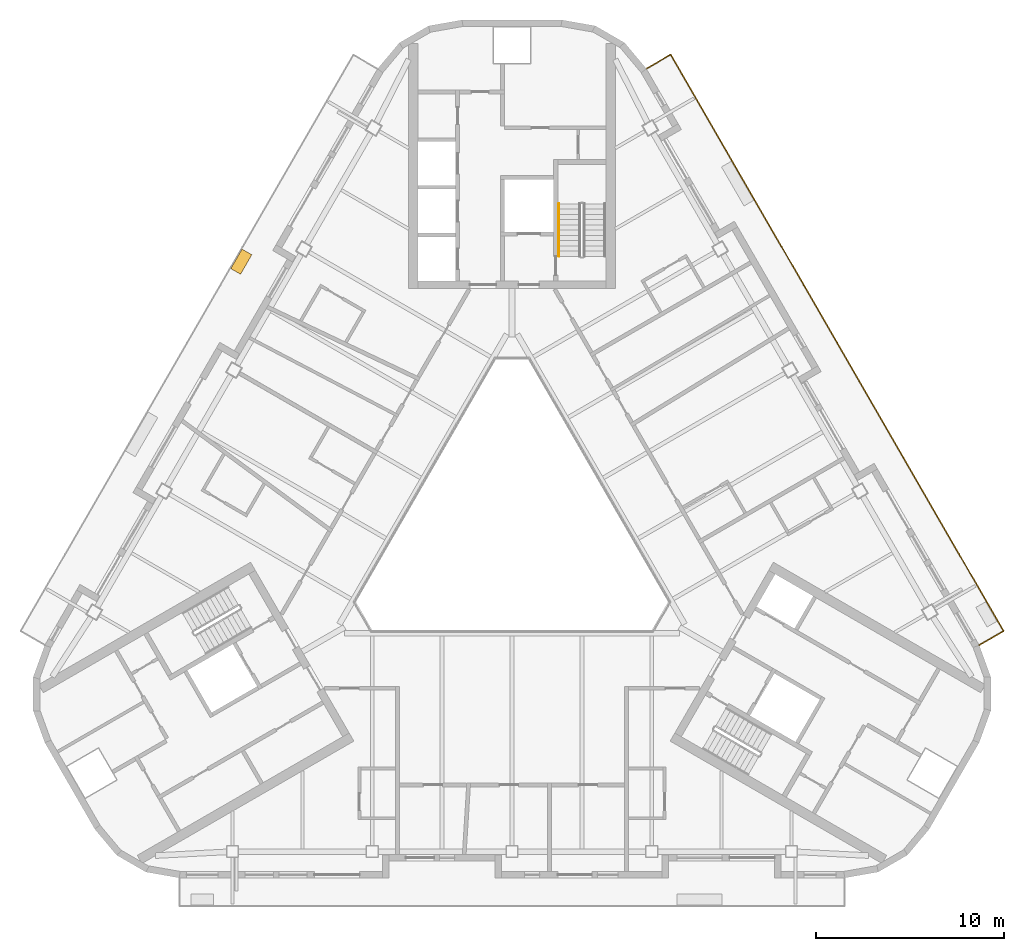
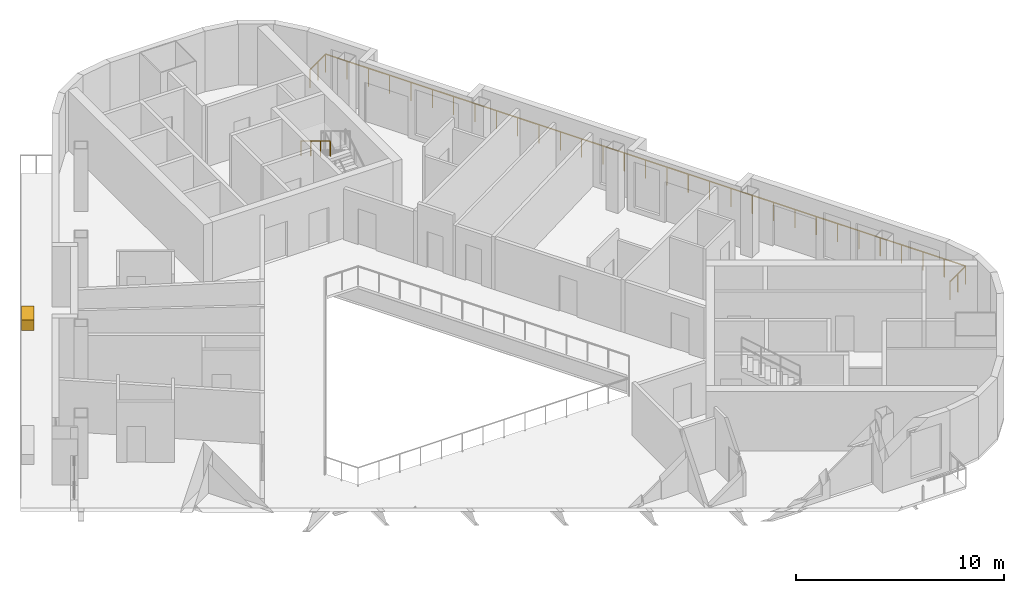
# One storey, part 12 of 13: 2 railings, 1 covering.
"""IFC4 building model written with IfcOpenShell, lengths in metres."""

import ifcopenshell
import ifcopenshell.guid

model = None  # the IFC model being written
_history = None  # IfcOwnerHistory: only IFC2X3 demands one
_inside = {}  # id of a spatial element -> (the spatial element, [elements in it])
_under = {}  # id of a project, library or spatial element -> (it, [spatial elements below it])
_declared = {}  # id of a project -> (the project, [libraries it declares])
_typed = {}  # id of a type object -> (the type object, [elements of that type])
_made_of = {}  # id of a material, layer set ... -> (it, [elements and type objects made of it])


def new_model(schema):
    """Start an empty IFC model of exactly this schema.

    Asked for "IFC4X3", IfcOpenShell would pick the latest addendum, in which some entities
    have other attributes; the version numbers below select the first issue.
    IFC2X3 requires an IfcOwnerHistory on every rooted entity: one is made here for all.
    """
    global model, _history
    if schema == "IFC4X3":
        model = ifcopenshell.file(schema_version=(4, 3, 0, 0))
    else:
        model = ifcopenshell.file(schema=schema)
    _inside.clear()
    _under.clear()
    _declared.clear()
    _typed.clear()
    _made_of.clear()
    _history = None
    if model.schema == "IFC2X3":
        org = make("IfcOrganization", Name="unknown")
        user = make(
            "IfcPersonAndOrganization",
            ThePerson=make("IfcPerson", FamilyName="unknown"),
            TheOrganization=org,
        )
        app = make(
            "IfcApplication",
            ApplicationDeveloper=org,
            Version="unknown",
            ApplicationFullName="unknown",
            ApplicationIdentifier="unknown",
        )
        _history = make(
            "IfcOwnerHistory",
            OwningUser=user,
            OwningApplication=app,
            ChangeAction="ADDED",
            CreationDate=0,
        )
    return model


def make(cls, **values):
    """One entity of the class cls with the attributes given. An attribute that is None is left unset."""
    return model.create_entity(
        cls, **{name: value for name, value in values.items() if value is not None}
    )


def rooted(cls, **values):
    """An entity with a GlobalId (a new one), such as an element, a storey or a relation."""
    return make(cls, GlobalId=ifcopenshell.guid.new(), OwnerHistory=_history, **values)


def si_unit(unit_type, name, prefix=None):
    """IfcSIUnit, for example si_unit("LENGTHUNIT", "METRE", prefix="MILLI")."""
    return make("IfcSIUnit", UnitType=unit_type, Prefix=prefix, Name=name)


def assignment(units):
    """IfcUnitAssignment: the units of a project."""
    return None if units is None else make("IfcUnitAssignment", Units=units)


def point(xyz):
    """IfcCartesianPoint."""
    return None if xyz is None else make("IfcCartesianPoint", Coordinates=xyz)


def direction(xyz):
    """IfcDirection."""
    return None if xyz is None else make("IfcDirection", DirectionRatios=xyz)


def frame(location, z_axis=None, x_axis=None):
    """IfcAxis2Placement3D, a coordinate frame: its origin and axes. An axis left out is left unset."""
    return make(
        "IfcAxis2Placement3D",
        Location=point(location),
        Axis=direction(z_axis),
        RefDirection=direction(x_axis),
    )


def frame_2d(location, x_axis=None):
    """IfcAxis2Placement2D, a coordinate frame in the plane: its origin and x axis."""
    return make(
        "IfcAxis2Placement2D", Location=point(location), RefDirection=direction(x_axis)
    )


def origin():
    """The frame at (0, 0, 0) with its axes left unset."""
    return frame((0.0, 0.0, 0.0))


def origin_2d():
    """The frame at (0, 0) in the plane with its x axis left unset."""
    return frame_2d((0.0, 0.0))


def place(relative_to, where):
    """IfcLocalPlacement: puts the frame where relative to a parent placement (None: the world)."""
    return make(
        "IfcLocalPlacement", PlacementRelTo=relative_to, RelativePlacement=where
    )


def context(
    kind, dimensions, precision=None, world=None, true_north=None, identifier=None
):
    """IfcGeometricRepresentationContext, for example the 3D "Model" context."""
    return make(
        "IfcGeometricRepresentationContext",
        ContextIdentifier=identifier,
        ContextType=kind,
        CoordinateSpaceDimension=dimensions,
        Precision=precision,
        WorldCoordinateSystem=world,
        TrueNorth=true_north,
    )


def subcontext(parent, identifier, kind, view, scale=None):
    """IfcGeometricRepresentationSubContext, for example "Body" below "Model"."""
    return make(
        "IfcGeometricRepresentationSubContext",
        ContextIdentifier=identifier,
        ContextType=kind,
        ParentContext=parent,
        TargetScale=scale,
        TargetView=view,
    )


def project(units=None, contexts=None):
    """IfcProject with its units and contexts."""
    return rooted(
        "IfcProject",
        Name="project",
        RepresentationContexts=contexts,
        UnitsInContext=assignment(units),
    )


def spatial(cls, under=None, at=None, **own):
    """A site, building, storey or space (cls), placed at a placement, below another one or the project."""
    s = rooted(cls, ObjectPlacement=at, **own)
    if under is not None:
        _under.setdefault(under.id(), (under, []))[1].append(s)
    return s


def profile(cls, at=None, kind="AREA", **sizes):
    """A parametric profile (cls). Its sizes go by their IFC names, for example OverallWidth=200.0."""
    return make(cls, ProfileType=kind, Position=at, **sizes)


def rectangle(**sizes):
    """IfcRectangleProfileDef."""
    return profile("IfcRectangleProfileDef", **sizes)


def circle(**sizes):
    """IfcCircleProfileDef."""
    return profile("IfcCircleProfileDef", **sizes)


def extrude(swept, where, along, depth):
    """IfcExtrudedAreaSolid: the profile swept, set in the frame where, extruded along a direction by depth."""
    return make(
        "IfcExtrudedAreaSolid",
        SweptArea=swept,
        Position=where,
        ExtrudedDirection=direction(along),
        Depth=depth,
    )


def shape(context_of_items, identifier, shape_type, items):
    """IfcShapeRepresentation: the items that make up one representation, for example the "Body"."""
    return make(
        "IfcShapeRepresentation",
        ContextOfItems=context_of_items,
        RepresentationIdentifier=identifier,
        RepresentationType=shape_type,
        Items=items,
    )


def material(Name=None, Category=None):
    """IfcMaterial."""
    return make("IfcMaterial", Name=Name, Category=Category)


def made_of(thing, what):
    """Note that an element or type object is made of a material, layer set ...; save() writes the relation."""
    if what is not None:
        _made_of.setdefault(what.id(), (what, []))[1].append(thing)
    return thing


def type_object(cls, material=None, **own):
    """A type object (cls), such as IfcWallType, which elements share."""
    return made_of(rooted(cls, **own), material)


def element(
    cls,
    number,
    at=None,
    inside=None,
    cuts=None,
    type_object=None,
    material=None,
    context=None,
    identifier="Body",
    shape_type=None,
    held_by="IfcProductDefinitionShape",
    body=None,
    shapes=None,
    **own,
):
    """One element of the class cls, such as IfcWall. Its Tag is "e" and its number.

    at: its placement. inside: the storey or other place that contains it. cuts: it is an
    opening in that element (IfcRelVoidsElement). A single representation is given by context,
    identifier, shape_type and body (its items); several are given by shapes. held_by: the class
    of the entity that holds the representations. save() writes the other relations.
    """
    e = rooted(cls, Tag="e%d" % number, ObjectPlacement=at, **own)
    if body is not None:
        shapes = [shape(context, identifier, shape_type, body)]
    if shapes is not None:
        e.Representation = make(held_by, Representations=shapes)
    if inside is not None:
        _inside.setdefault(inside.id(), (inside, []))[1].append(e)
    if cuts is not None:
        rooted(
            "IfcRelVoidsElement", RelatingBuildingElement=cuts, RelatedOpeningElement=e
        )
    if type_object is not None:
        _typed.setdefault(type_object.id(), (type_object, []))[1].append(e)
    return made_of(e, material)


def aggregate(whole, parts):
    """IfcRelAggregates: a whole, such as a stair, and the parts it consists of."""
    return rooted("IfcRelAggregates", RelatingObject=whole, RelatedObjects=parts)


def save(model, path):
    """Write the relations noted so far, then the file.

    IfcRelAggregates (storeys below a building ...), IfcRelContainedInSpatialStructure (elements
    in a storey), IfcRelDefinesByType, IfcRelAssociatesMaterial and IfcRelDeclares: one each for
    every whole, place, type object, material and project.
    """
    for whole, parts in _under.values():
        aggregate(whole, parts)
    for where, things in _inside.values():
        rooted(
            "IfcRelContainedInSpatialStructure",
            RelatedElements=things,
            RelatingStructure=where,
        )
    for kind, things in _typed.values():
        rooted("IfcRelDefinesByType", RelatedObjects=things, RelatingType=kind)
    for what, things in _made_of.values():
        rooted("IfcRelAssociatesMaterial", RelatedObjects=things, RelatingMaterial=what)
    for by, libraries in _declared.values():
        rooted("IfcRelDeclares", RelatingContext=by, RelatedDefinitions=libraries)
    model.write(path)


model = new_model("IFC4")

# Units and contexts
model_context = context("Model", 3, precision=1e-05, world=origin(), true_north=direction((0.0, 1.0)))
body_context = subcontext(model_context, "Body", "Model", "MODEL_VIEW")
ifc_project = project(units=[si_unit("LENGTHUNIT", "METRE"), si_unit("AREAUNIT", "SQUARE_METRE"), si_unit("VOLUMEUNIT", "CUBIC_METRE"), si_unit("PLANEANGLEUNIT", "RADIAN"), si_unit("MASSUNIT", "GRAM", prefix="KILO")], contexts=[model_context])

# Site, building, storey
site_placement = place(None, origin())
site = spatial("IfcSite", under=ifc_project, at=site_placement, CompositionType="ELEMENT")
building_placement = place(site_placement, origin())
building = spatial("IfcBuilding", under=site, at=building_placement, Name="Apuvela Tower Hotel", CompositionType="ELEMENT")
storey_placement = place(building_placement, frame((0.0, 0.0, 272.60009765625)))
storey = spatial("IfcBuildingStorey", under=building, at=storey_placement, Name="L67", CompositionType="ELEMENT", Elevation=272.60009765625)

# Railings
ifc_material_1 = material(Name="Stainless steel 316 handrail", Category="steel")
railing_type_1 = type_object("IfcRailingType", Name="COR-HANDRAIL-900", PredefinedType="HANDRAIL", material=ifc_material_1)
railing_1_placement = place(storey_placement, frame((2.5, 17.39990234375, 2.01806640625)))
element("IfcRailing", 1, at=railing_1_placement, inside=storey, type_object=railing_type_1, Name="L67 ST1 stair handrail 2", PredefinedType="HANDRAIL", context=body_context, shape_type="SweptSolid", body=[
    extrude(circle(Radius=0.02392578125, at=origin_2d()), frame((0.0, 0.0, 0.8759765625), z_axis=(0.0, -0.857222391501, 0.514946377315), x_axis=(1.0, 0.0, 0.0)), (0.0, 0.0, 1.0), 3.26611328125),
    extrude(rectangle(XDim=0.0419921875, YDim=0.0419921875, at=origin_2d()), origin(), (0.0, 0.0, 1.0), 0.851806640625),
    extrude(rectangle(XDim=0.0419921875, YDim=0.0419921875, at=origin_2d()), frame((0.0, -0.933349609375, 0.560546875)), (0.0, 0.0, 1.0), 0.851806640625),
    extrude(rectangle(XDim=0.0419921875, YDim=0.0419921875, at=origin_2d()), frame((0.0, -1.866455078125, 1.121337890625)), (0.0, 0.0, 1.0), 0.851806640625),
    extrude(rectangle(XDim=0.0419921875, YDim=0.0419921875, at=origin_2d()), frame((0.0, -2.7998046875, 1.681884765625)), (0.0, 0.0, 1.0), 0.851806640625),
])
ifc_material_2 = material(Name="Stainless steel 316 rail with laminated glass infill", Category="steel")
railing_type_2 = type_object("IfcRailingType", Name="ENV-GUARD-1100", PredefinedType="GUARDRAIL", material=ifc_material_2)
railing_2_placement = place(storey_placement, frame((24.882080078125, -6.105712890625, 0.0)))
element("IfcRailing", 2, at=railing_2_placement, inside=storey, type_object=railing_type_2, Name="Balcony guard NE L67", PredefinedType="GUARDRAIL", context=body_context, shape_type="SweptSolid", body=[
    extrude(rectangle(XDim=0.050048828125, YDim=0.050048828125, at=origin_2d()), frame((0.0, 0.0, 1.0751953125), z_axis=(0.866031096941, 0.499990139034, 0.0), x_axis=(-0.499990139034, 0.866031096941, 0.0)), (0.0, 0.0, 1.0), 1.5),
    extrude(rectangle(XDim=0.050048828125, YDim=0.050048828125, at=origin_2d()), frame((1.299072265625, 0.75, 1.0751953125), z_axis=(-0.500000994306, 0.866024829721, 0.0), x_axis=(-0.866024829721, -0.500000994306, 0.0)), (0.0, 0.0, 1.0), 35.45751953125),
    extrude(rectangle(XDim=0.050048828125, YDim=0.050048828125, at=origin_2d()), frame((-16.4296875, 31.45703125, 1.0751953125), z_axis=(-0.86599040064, -0.500060622324, 0.0), x_axis=(0.500060622324, -0.86599040064, 0.0)), (0.0, 0.0, 1.0), 1.499755859375),
    extrude(rectangle(XDim=0.0400390625, YDim=0.0400390625, at=origin_2d()), origin(), (0.0, 0.0, 1.0), 1.050048828125),
    extrude(rectangle(XDim=0.0400390625, YDim=0.0400390625, at=origin_2d()), frame((0.6494140625, 0.375, 0.0)), (0.0, 0.0, 1.0), 1.050048828125),
    extrude(rectangle(XDim=0.0400390625, YDim=0.0400390625, at=origin_2d()), frame((1.299072265625, 0.75, 0.0)), (0.0, 0.0, 1.0), 1.050048828125),
    extrude(rectangle(XDim=0.0400390625, YDim=0.0400390625, at=origin_2d()), frame((0.7080078125, 1.773681640625, 0.0)), (0.0, 0.0, 1.0), 1.050048828125),
    extrude(rectangle(XDim=0.0400390625, YDim=0.0400390625, at=origin_2d()), frame((0.1171875, 2.797119140625, 0.0)), (0.0, 0.0, 1.0), 1.050048828125),
    extrude(rectangle(XDim=0.0400390625, YDim=0.0400390625, at=origin_2d()), frame((-0.473876953125, 3.82080078125, 0.0)), (0.0, 0.0, 1.0), 1.050048828125),
    extrude(rectangle(XDim=0.0400390625, YDim=0.0400390625, at=origin_2d()), frame((-1.064697265625, 4.84423828125, 0.0)), (0.0, 0.0, 1.0), 1.050048828125),
    extrude(rectangle(XDim=0.0400390625, YDim=0.0400390625, at=origin_2d()), frame((-1.65576171875, 5.867919921875, 0.0)), (0.0, 0.0, 1.0), 1.050048828125),
    extrude(rectangle(XDim=0.0400390625, YDim=0.0400390625, at=origin_2d()), frame((-2.24658203125, 6.891357421875, 0.0)), (0.0, 0.0, 1.0), 1.050048828125),
    extrude(rectangle(XDim=0.0400390625, YDim=0.0400390625, at=origin_2d()), frame((-2.837646484375, 7.9150390625, 0.0)), (0.0, 0.0, 1.0), 1.050048828125),
    extrude(rectangle(XDim=0.0400390625, YDim=0.0400390625, at=origin_2d()), frame((-3.4287109375, 8.9384765625, 0.0)), (0.0, 0.0, 1.0), 1.050048828125),
    extrude(rectangle(XDim=0.0400390625, YDim=0.0400390625, at=origin_2d()), frame((-4.01953125, 9.962158203125, 0.0)), (0.0, 0.0, 1.0), 1.050048828125),
    extrude(rectangle(XDim=0.0400390625, YDim=0.0400390625, at=origin_2d()), frame((-4.610595703125, 10.985595703125, 0.0)), (0.0, 0.0, 1.0), 1.050048828125),
    extrude(rectangle(XDim=0.0400390625, YDim=0.0400390625, at=origin_2d()), frame((-5.201416015625, 12.00927734375, 0.0)), (0.0, 0.0, 1.0), 1.050048828125),
    extrude(rectangle(XDim=0.0400390625, YDim=0.0400390625, at=origin_2d()), frame((-5.79248046875, 13.03271484375, 0.0)), (0.0, 0.0, 1.0), 1.050048828125),
    extrude(rectangle(XDim=0.0400390625, YDim=0.0400390625, at=origin_2d()), frame((-6.38330078125, 14.056396484375, 0.0)), (0.0, 0.0, 1.0), 1.050048828125),
    extrude(rectangle(XDim=0.0400390625, YDim=0.0400390625, at=origin_2d()), frame((-6.974365234375, 15.079833984375, 0.0)), (0.0, 0.0, 1.0), 1.050048828125),
    extrude(rectangle(XDim=0.0400390625, YDim=0.0400390625, at=origin_2d()), frame((-7.5654296875, 16.103515625, 0.0)), (0.0, 0.0, 1.0), 1.050048828125),
    extrude(rectangle(XDim=0.0400390625, YDim=0.0400390625, at=origin_2d()), frame((-8.15625, 17.127197265625, 0.0)), (0.0, 0.0, 1.0), 1.050048828125),
    extrude(rectangle(XDim=0.0400390625, YDim=0.0400390625, at=origin_2d()), frame((-8.747314453125, 18.150634765625, 0.0)), (0.0, 0.0, 1.0), 1.050048828125),
    extrude(rectangle(XDim=0.0400390625, YDim=0.0400390625, at=origin_2d()), frame((-9.338134765625, 19.17431640625, 0.0)), (0.0, 0.0, 1.0), 1.050048828125),
    extrude(rectangle(XDim=0.0400390625, YDim=0.0400390625, at=origin_2d()), frame((-9.92919921875, 20.19775390625, 0.0)), (0.0, 0.0, 1.0), 1.050048828125),
    extrude(rectangle(XDim=0.0400390625, YDim=0.0400390625, at=origin_2d()), frame((-10.52001953125, 21.221435546875, 0.0)), (0.0, 0.0, 1.0), 1.050048828125),
    extrude(rectangle(XDim=0.0400390625, YDim=0.0400390625, at=origin_2d()), frame((-11.111083984375, 22.244873046875, 0.0)), (0.0, 0.0, 1.0), 1.050048828125),
    extrude(rectangle(XDim=0.0400390625, YDim=0.0400390625, at=origin_2d()), frame((-11.701904296875, 23.2685546875, 0.0)), (0.0, 0.0, 1.0), 1.050048828125),
    extrude(rectangle(XDim=0.0400390625, YDim=0.0400390625, at=origin_2d()), frame((-12.29296875, 24.2919921875, 0.0)), (0.0, 0.0, 1.0), 1.050048828125),
    extrude(rectangle(XDim=0.0400390625, YDim=0.0400390625, at=origin_2d()), frame((-12.884033203125, 25.315673828125, 0.0)), (0.0, 0.0, 1.0), 1.050048828125),
    extrude(rectangle(XDim=0.0400390625, YDim=0.0400390625, at=origin_2d()), frame((-13.474853515625, 26.339111328125, 0.0)), (0.0, 0.0, 1.0), 1.050048828125),
    extrude(rectangle(XDim=0.0400390625, YDim=0.0400390625, at=origin_2d()), frame((-14.06591796875, 27.36279296875, 0.0)), (0.0, 0.0, 1.0), 1.050048828125),
    extrude(rectangle(XDim=0.0400390625, YDim=0.0400390625, at=origin_2d()), frame((-14.65673828125, 28.38623046875, 0.0)), (0.0, 0.0, 1.0), 1.050048828125),
    extrude(rectangle(XDim=0.0400390625, YDim=0.0400390625, at=origin_2d()), frame((-15.247802734375, 29.409912109375, 0.0)), (0.0, 0.0, 1.0), 1.050048828125),
    extrude(rectangle(XDim=0.0400390625, YDim=0.0400390625, at=origin_2d()), frame((-15.838623046875, 30.433349609375, 0.0)), (0.0, 0.0, 1.0), 1.050048828125),
    extrude(rectangle(XDim=0.0400390625, YDim=0.0400390625, at=origin_2d()), frame((-16.4296875, 31.45703125, 0.0)), (0.0, 0.0, 1.0), 1.050048828125),
    extrude(rectangle(XDim=0.0400390625, YDim=0.0400390625, at=origin_2d()), frame((-17.0791015625, 31.08203125, 0.0)), (0.0, 0.0, 1.0), 1.050048828125),
    extrude(rectangle(XDim=0.0400390625, YDim=0.0400390625, at=origin_2d()), frame((-17.728515625, 30.70703125, 0.0)), (0.0, 0.0, 1.0), 1.050048828125),
])

# Covering
ifc_material_3 = material(Name="Planting substrate and soil, planted")
covering_type = type_object("IfcCoveringType", Name="ENV-PLANTER-1200x600", PredefinedType="USERDEFINED", material=ifc_material_3)
covering_placement = place(storey_placement, frame((-14.4169921875, 14.320556640625, -0.000244140625), z_axis=(0.0, 0.0, 1.0), x_axis=(-0.5, -0.866025403784, 0.0)))
element("IfcCovering", 3, at=covering_placement, inside=storey, type_object=covering_type, Name="Planter NW5", ObjectType="PLANTER", PredefinedType="USERDEFINED", context=body_context, shape_type="SweptSolid", body=[
    extrude(rectangle(XDim=1.199951171875, YDim=0.60009765625, at=origin_2d()), origin(), (0.0, 0.0, 1.0), 0.60009765625),
])

save(model, "model.ifc")
